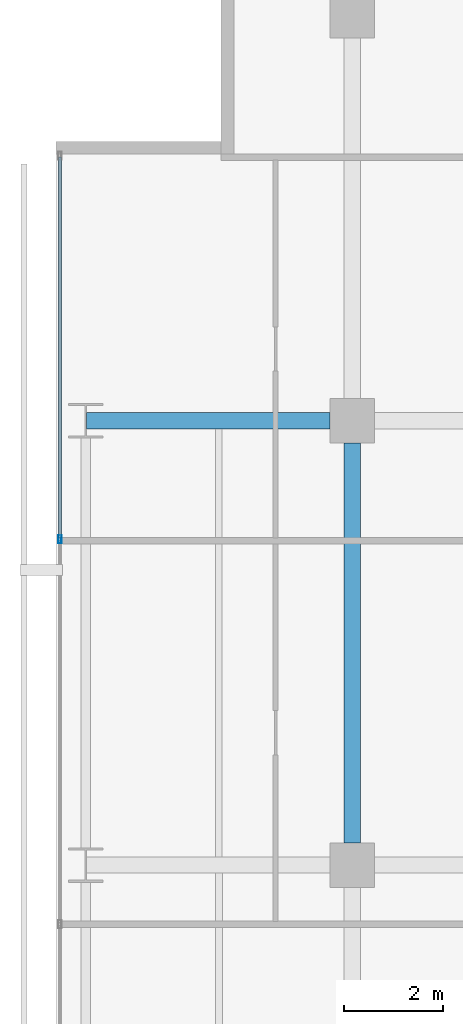
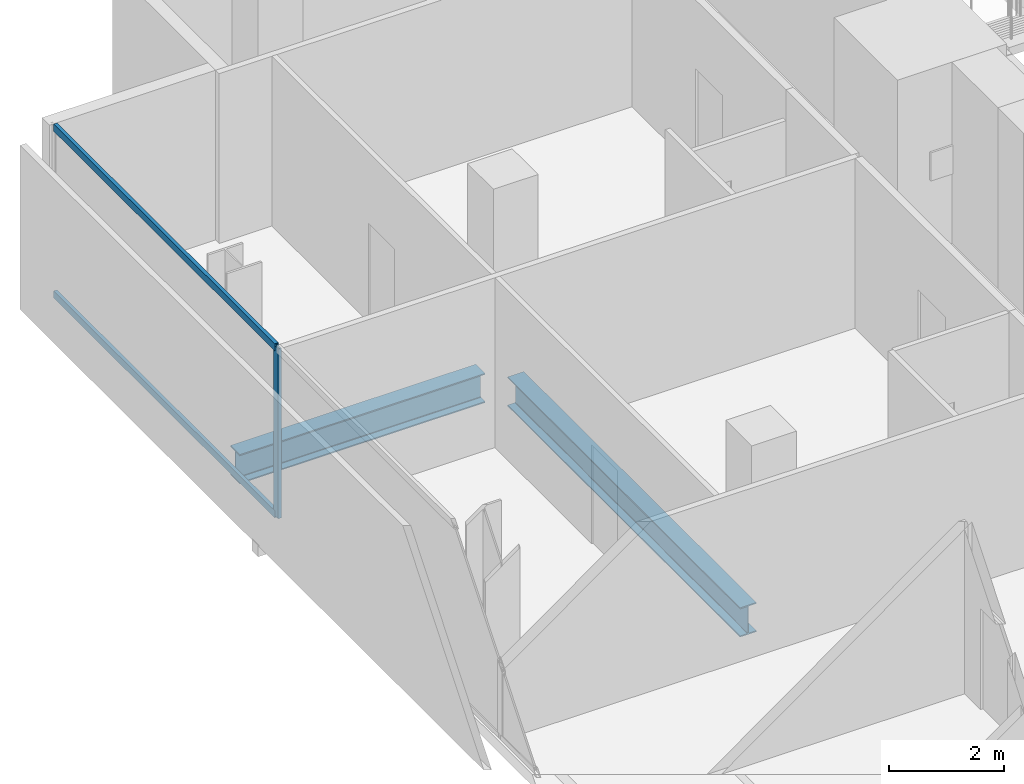
# One storey, part 23 of 41: 3 members, 2 beams, 1 element without a shape of its own.
"""IFC4 building model written with IfcOpenShell, lengths in metres."""

from ifc_helpers import new_model, si_unit, direction, frame, origin, origin_2d, place, context, subcontext, project, spatial, hollow_rectangle, i_section, extrude, material, layer, layer_set, material_profile, profile_set, type_object, element, aggregate, save


model = new_model("IFC4")

# Units and contexts
model_context = context("Model", 3, precision=1e-05, world=origin(), true_north=direction((0.0, 1.0)))
body_context = subcontext(model_context, "Body", "Model", "MODEL_VIEW")
ifc_project = project(units=[si_unit("LENGTHUNIT", "METRE"), si_unit("AREAUNIT", "SQUARE_METRE"), si_unit("VOLUMEUNIT", "CUBIC_METRE"), si_unit("PLANEANGLEUNIT", "RADIAN"), si_unit("MASSUNIT", "GRAM", prefix="KILO")], contexts=[model_context])

# Site, building, storey
site_placement = place(None, origin())
site = spatial("IfcSite", under=ifc_project, at=site_placement, CompositionType="ELEMENT")
building_placement = place(site_placement, origin())
building = spatial("IfcBuilding", under=site, at=building_placement, Name="Maruvema Waterfront Hotel and Observation Tower", CompositionType="ELEMENT")
storey_placement = place(building_placement, frame((0.0, 0.0, 61.60009765625)))
storey = spatial("IfcBuildingStorey", under=building, at=storey_placement, Name="L14", CompositionType="ELEMENT", Elevation=61.60009765625)

# Curtain wall, members
ifc_material_1 = material(Name="Anodised bronze aluminium and solar-control low-E IGU", Category="aluminium")
ifc_layer = layer(ifc_material_1, 0.159912109375, Name="Zone 1 Bronze Inner Thermal Curtain Wall System CW-02")
ifc_layer_set = layer_set([ifc_layer], Name="Anodised bronze aluminium and solar-control low-E IGU")
curtain_wall_type = type_object("IfcCurtainWallType", Name="Zone 1 Bronze Inner Thermal Curtain Wall System CW-02", PredefinedType="USERDEFINED", material=ifc_layer_set)
curtain_wall_placement = place(storey_placement, origin())
curtain_wall = element("IfcCurtainWall", 1, at=curtain_wall_placement, inside=storey, type_object=curtain_wall_type, Name="L14 Curtain Wall CW-L14-W", ObjectType="UNITISED CURTAIN WALL", PredefinedType="USERDEFINED")
ifc_material_2 = material(Name="Anodised architectural bronze aluminium", Category="aluminium")
ifc_material_profile_1 = material_profile(ifc_material_2, hollow_rectangle(XDim=0.070068359375, YDim=0.14990234375, WallThickness=0.00390625, at=origin_2d()), Name="ALU-T70x150")
ifc_profile_set_1 = profile_set([ifc_material_profile_1], Name="Anodised architectural bronze aluminium")
member_type_1 = type_object("IfcMemberType", Name="Curtain Wall Horizontal Transom ALU-T70x150", PredefinedType="USERDEFINED", material=ifc_profile_set_1)
member_1_placement = place(storey_placement, frame((10.8798828125, 50.340087890625, 0.02978515625), z_axis=(0.0, -1.0, 0.0), x_axis=(1.0, 0.0, 0.0)))
member_1 = element("IfcMember", 2, at=member_1_placement, type_object=member_type_1, Name="CW-02 transom 1.1", ObjectType="TRANSOM", PredefinedType="USERDEFINED", context=body_context, shape_type="SweptSolid", body=[
    extrude(hollow_rectangle(XDim=0.070068359375, YDim=0.14990234375, WallThickness=0.00390625, at=origin_2d()), origin(), (0.0, 0.0, 1.0), 7.710205078125),
])
member_2_placement = place(storey_placement, frame((10.8798828125, 50.340087890625, 3.579833984375), z_axis=(0.0, -1.0, 0.0), x_axis=(1.0, 0.0, 0.0)))
member_2 = element("IfcMember", 3, at=member_2_placement, type_object=member_type_1, Name="CW-02 transom 1.2", ObjectType="TRANSOM", PredefinedType="USERDEFINED", context=body_context, shape_type="SweptSolid", body=[
    extrude(hollow_rectangle(XDim=0.070068359375, YDim=0.14990234375, WallThickness=0.00390625, at=origin_2d()), origin(), (0.0, 0.0, 1.0), 7.710205078125),
])
ifc_material_3 = material(Name="Anodised architectural bronze aluminium", Category="aluminium")
ifc_material_profile_2 = material_profile(ifc_material_3, hollow_rectangle(XDim=0.06494140625, YDim=0.1650390625, WallThickness=0.00390625, at=origin_2d()), Name="ALU-M65x165")
ifc_profile_set_2 = profile_set([ifc_material_profile_2], Name="Anodised architectural bronze aluminium")
member_type_2 = type_object("IfcMemberType", Name="Curtain Wall Primary Mullion ALU-M65x165", PredefinedType="MULLION", material=ifc_profile_set_2)
member_3_placement = place(storey_placement, frame((10.8798828125, 42.60009765625, 0.0), z_axis=(0.0, 0.0, 1.0), x_axis=(1.0, 0.0, 0.0)))
member_3 = element("IfcMember", 4, at=member_3_placement, type_object=member_type_2, Name="CW-02 mullion 2", PredefinedType="MULLION", context=body_context, shape_type="SweptSolid", body=[
    extrude(hollow_rectangle(XDim=0.06494140625, YDim=0.1650390625, WallThickness=0.00390625, at=origin_2d()), origin(), (0.0, 0.0, 1.0), 3.60986328125),
])
aggregate(curtain_wall, [member_3, member_1, member_2])

# Beams
ifc_material_4 = material(Name="Steel ASTM A572 Grade 50", Category="steel")
ifc_material_profile_3 = material_profile(ifc_material_4, i_section(OverallWidth=0.326904296875, OverallDepth=0.6220703125, WebThickness=0.015380859375, FlangeThickness=0.0244140625, FilletRadius=0.01806640625, at=origin_2d()), Name="W610x195.0")
ifc_profile_set_3 = profile_set([ifc_material_profile_3], Name="Steel ASTM A572 Grade 50")
beam_type = type_object("IfcBeamType", Name="Primary Floor Girder W610x195.0", PredefinedType="BEAM", material=ifc_profile_set_3)
beam_1_placement = place(storey_placement, frame((11.4140625, 45.0, -0.551025390625), z_axis=(1.0, 0.0, 0.0), x_axis=(0.0, 1.0, 0.0)))
element("IfcBeam", 5, at=beam_1_placement, inside=storey, type_object=beam_type, Name="L14 Floor Girder EW-32", PredefinedType="BEAM", context=body_context, shape_type="SweptSolid", body=[
    extrude(i_section(OverallWidth=0.326904296875, OverallDepth=0.6220703125, WebThickness=0.015380859375, FlangeThickness=0.0244140625, FilletRadius=0.01806640625, at=origin_2d()), origin(), (0.0, 0.0, 1.0), 4.93603515625),
])
beam_2_placement = place(storey_placement, frame((16.800048828125, 36.449951171875, -0.551025390625), z_axis=(0.0, 1.0, 0.0), x_axis=(-1.0, 0.0, 0.0)))
element("IfcBeam", 6, at=beam_2_placement, inside=storey, type_object=beam_type, Name="L14 Floor Girder NS-09", PredefinedType="BEAM", context=body_context, shape_type="SweptSolid", body=[
    extrude(i_section(OverallWidth=0.326904296875, OverallDepth=0.6220703125, WebThickness=0.015380859375, FlangeThickness=0.0244140625, FilletRadius=0.01806640625, at=origin_2d()), origin(), (0.0, 0.0, 1.0), 8.10009765625),
])

save(model, "model.ifc")
